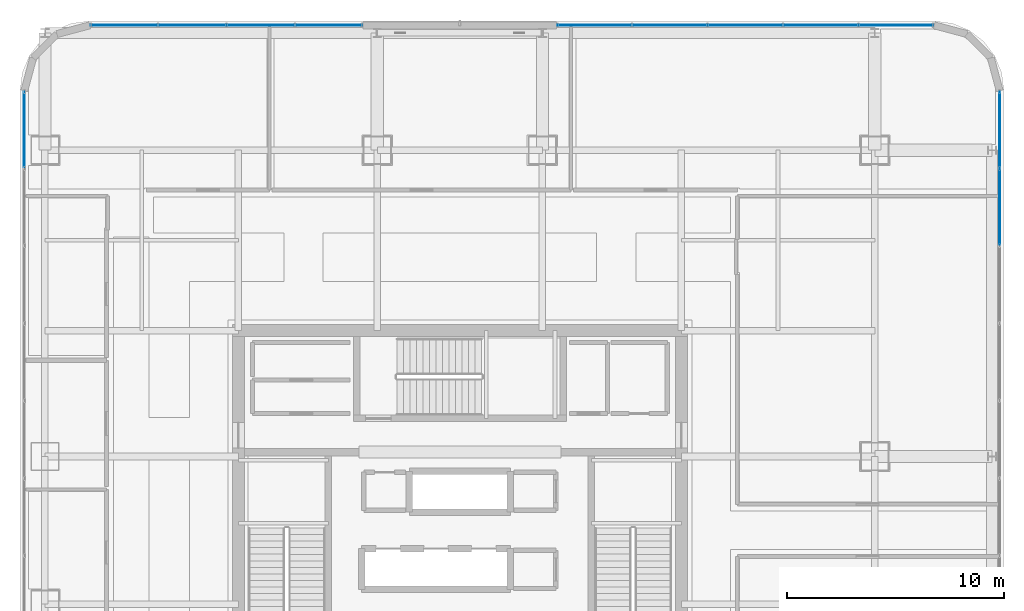
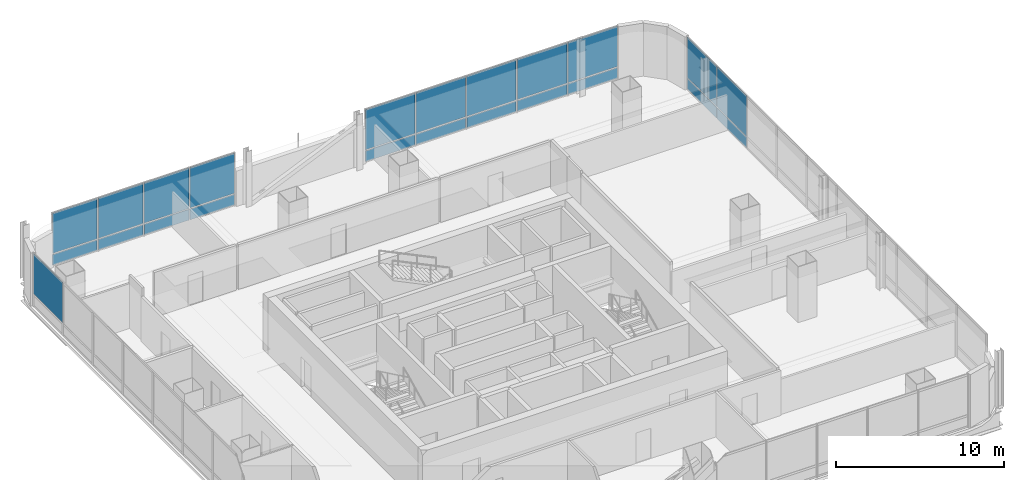
# One storey, part 30 of 44: 23 plates, 4 elements without a shape of their own.
"""IFC4 building model written with IfcOpenShell, lengths in metres."""

from ifc_helpers import new_model, si_unit, direction, frame, origin, origin_2d, place, context, subcontext, project, spatial, rectangle, extrude, material, layer, layer_set, type_object, element, aggregate, save


model = new_model("IFC4")

# Units and contexts
model_context = context("Model", 3, precision=1e-05, world=origin(), true_north=direction((0.0, 1.0)))
body_context = subcontext(model_context, "Body", "Model", "MODEL_VIEW")
ifc_project = project(units=[si_unit("LENGTHUNIT", "METRE"), si_unit("AREAUNIT", "SQUARE_METRE"), si_unit("VOLUMEUNIT", "CUBIC_METRE"), si_unit("PLANEANGLEUNIT", "RADIAN"), si_unit("MASSUNIT", "GRAM", prefix="KILO")], contexts=[model_context])

# Site, building, storey
site_placement = place(None, origin())
site = spatial("IfcSite", under=ifc_project, at=site_placement, CompositionType="ELEMENT")
building_placement = place(site_placement, origin())
building = spatial("IfcBuilding", under=site, at=building_placement, Name="Punatoya Terracotta Tower", CompositionType="ELEMENT")
storey_placement = place(building_placement, frame((0.0, 0.0, 267.60009765625)))
storey = spatial("IfcBuildingStorey", under=building, at=storey_placement, Name="L63", CompositionType="ELEMENT", Elevation=267.60009765625)

# Curtain wall, plates
ifc_material_1 = material(Name="Aluminium 6063-T6 + Double Low-E Glass", Category="aluminium")
curtain_wall_type = type_object("IfcCurtainWallType", Name="CW-M3", PredefinedType="NOTDEFINED", material=ifc_material_1)
curtain_wall_1_placement = place(storey_placement, origin())
curtain_wall_1 = element("IfcCurtainWall", 1, at=curtain_wall_1_placement, inside=storey, type_object=curtain_wall_type, Name="L63 Curtain Wall CW-L63-E05-1", PredefinedType="NOTDEFINED")
ifc_material_2 = material(Name="Double Low-E Acoustic Vision Glass", Category="glass")
ifc_layer_1 = layer(ifc_material_2, 0.031982421875)
ifc_layer_set_1 = layer_set([ifc_layer_1], Name="Double Low-E Acoustic Vision Glass")
plate_type_1 = type_object("IfcPlateType", Name="PLT-GLZ-32", PredefinedType="CURTAIN_PANEL", material=ifc_layer_set_1)
plate_1_placement = place(storey_placement, frame((24.85009765625, 14.8857421875, 0.889892578125), z_axis=(0.0, 0.0, 1.0), x_axis=(0.0, 1.0, 0.0)))
plate_1 = element("IfcPlate", 2, at=plate_1_placement, type_object=plate_type_1, Name="CW-L63-E05-1 Vision Glass Panel 9", PredefinedType="CURTAIN_PANEL", context=body_context, shape_type="SweptSolid", body=[
    extrude(rectangle(XDim=3.482421875, YDim=0.031982421875, at=origin_2d()), origin(), (0.0, 0.0, 1.0), 2.919921875),
])
plate_2_placement = place(storey_placement, frame((24.85009765625, 18.453125, 0.889892578125), z_axis=(0.0, 0.0, 1.0), x_axis=(0.0, 1.0, 0.0)))
plate_2 = element("IfcPlate", 3, at=plate_2_placement, type_object=plate_type_1, Name="CW-L63-E05-1 Vision Glass Panel 10", PredefinedType="CURTAIN_PANEL", context=body_context, shape_type="SweptSolid", body=[
    extrude(rectangle(XDim=3.482421875, YDim=0.031982421875, at=origin_2d()), origin(), (0.0, 0.0, 1.0), 2.919921875),
])

curtain_wall_2_placement = place(storey_placement, origin())
curtain_wall_2 = element("IfcCurtainWall", 4, at=curtain_wall_2_placement, inside=storey, type_object=curtain_wall_type, Name="L63 Curtain Wall CW-L63-N09-1", PredefinedType="NOTDEFINED")
plate_3_placement = place(storey_placement, frame((20.09814453125, 23.25, 0.889892578125), z_axis=(0.0, 0.0, 1.0), x_axis=(-1.0, 0.0, 0.0)))
plate_3 = element("IfcPlate", 5, at=plate_3_placement, type_object=plate_type_1, Name="CW-L63-N09-1 Vision Glass Panel 1", PredefinedType="CURTAIN_PANEL", context=body_context, shape_type="SweptSolid", body=[
    extrude(rectangle(XDim=3.392333984375, YDim=0.031982421875, at=origin_2d()), origin(), (0.0, 0.0, 1.0), 2.919921875),
])
plate_4_placement = place(storey_placement, frame((16.620849609375, 23.25, 0.889892578125), z_axis=(0.0, 0.0, 1.0), x_axis=(-1.0, 0.0, 0.0)))
plate_4 = element("IfcPlate", 6, at=plate_4_placement, type_object=plate_type_1, Name="CW-L63-N09-1 Vision Glass Panel 2", PredefinedType="CURTAIN_PANEL", context=body_context, shape_type="SweptSolid", body=[
    extrude(rectangle(XDim=3.392333984375, YDim=0.031982421875, at=origin_2d()), origin(), (0.0, 0.0, 1.0), 2.919921875),
])
plate_5_placement = place(storey_placement, frame((13.143310546875, 23.25, 0.889892578125), z_axis=(0.0, 0.0, 1.0), x_axis=(-1.0, 0.0, 0.0)))
plate_5 = element("IfcPlate", 7, at=plate_5_placement, type_object=plate_type_1, Name="CW-L63-N09-1 Vision Glass Panel 3", PredefinedType="CURTAIN_PANEL", context=body_context, shape_type="SweptSolid", body=[
    extrude(rectangle(XDim=3.392333984375, YDim=0.031982421875, at=origin_2d()), origin(), (0.0, 0.0, 1.0), 2.919921875),
])
plate_6_placement = place(storey_placement, frame((9.666015625, 23.25, 0.889892578125), z_axis=(0.0, 0.0, 1.0), x_axis=(-1.0, 0.0, 0.0)))
plate_6 = element("IfcPlate", 8, at=plate_6_placement, type_object=plate_type_1, Name="CW-L63-N09-1 Vision Glass Panel 4", PredefinedType="CURTAIN_PANEL", context=body_context, shape_type="SweptSolid", body=[
    extrude(rectangle(XDim=3.392333984375, YDim=0.031982421875, at=origin_2d()), origin(), (0.0, 0.0, 1.0), 2.919921875),
])
plate_7_placement = place(storey_placement, frame((6.188720703125, 23.25, 0.889892578125), z_axis=(0.0, 0.0, 1.0), x_axis=(-1.0, 0.0, 0.0)))
plate_7 = element("IfcPlate", 9, at=plate_7_placement, type_object=plate_type_1, Name="CW-L63-N09-1 Vision Glass Panel 5", PredefinedType="CURTAIN_PANEL", context=body_context, shape_type="SweptSolid", body=[
    extrude(rectangle(XDim=3.392333984375, YDim=0.031982421875, at=origin_2d()), origin(), (0.0, 0.0, 1.0), 2.919921875),
])

curtain_wall_3_placement = place(storey_placement, origin())
curtain_wall_3 = element("IfcCurtainWall", 10, at=curtain_wall_3_placement, inside=storey, type_object=curtain_wall_type, Name="L63 Curtain Wall CW-L63-N09-2", PredefinedType="NOTDEFINED")
plate_8_placement = place(storey_placement, frame((-6.0234375, 23.25, 0.889892578125), z_axis=(0.0, 0.0, 1.0), x_axis=(-1.0, 0.0, 0.0)))
plate_8 = element("IfcPlate", 11, at=plate_8_placement, type_object=plate_type_1, Name="CW-L63-N09-2 Vision Glass Panel 1", PredefinedType="CURTAIN_PANEL", context=body_context, shape_type="SweptSolid", body=[
    extrude(rectangle(XDim=3.061767578125, YDim=0.031982421875, at=origin_2d()), origin(), (0.0, 0.0, 1.0), 2.919921875),
])
plate_9_placement = place(storey_placement, frame((-9.170166015625, 23.25, 0.889892578125), z_axis=(0.0, 0.0, 1.0), x_axis=(-1.0, 0.0, 0.0)))
plate_9 = element("IfcPlate", 12, at=plate_9_placement, type_object=plate_type_1, Name="CW-L63-N09-2 Vision Glass Panel 2", PredefinedType="CURTAIN_PANEL", context=body_context, shape_type="SweptSolid", body=[
    extrude(rectangle(XDim=3.061767578125, YDim=0.031982421875, at=origin_2d()), origin(), (0.0, 0.0, 1.0), 2.919921875),
])
plate_10_placement = place(storey_placement, frame((-12.31689453125, 23.25, 0.889892578125), z_axis=(0.0, 0.0, 1.0), x_axis=(-1.0, 0.0, 0.0)))
plate_10 = element("IfcPlate", 13, at=plate_10_placement, type_object=plate_type_1, Name="CW-L63-N09-2 Vision Glass Panel 3", PredefinedType="CURTAIN_PANEL", context=body_context, shape_type="SweptSolid", body=[
    extrude(rectangle(XDim=3.061767578125, YDim=0.031982421875, at=origin_2d()), origin(), (0.0, 0.0, 1.0), 2.919921875),
])
plate_11_placement = place(storey_placement, frame((-15.46337890625, 23.25, 0.889892578125), z_axis=(0.0, 0.0, 1.0), x_axis=(-1.0, 0.0, 0.0)))
plate_11 = element("IfcPlate", 14, at=plate_11_placement, type_object=plate_type_1, Name="CW-L63-N09-2 Vision Glass Panel 4", PredefinedType="CURTAIN_PANEL", context=body_context, shape_type="SweptSolid", body=[
    extrude(rectangle(XDim=3.061767578125, YDim=0.031982421875, at=origin_2d()), origin(), (0.0, 0.0, 1.0), 2.919921875),
])

# Curtain wall, plate
curtain_wall_4_placement = place(storey_placement, origin())
curtain_wall_4 = element("IfcCurtainWall", 15, at=curtain_wall_4_placement, inside=storey, type_object=curtain_wall_type, Name="L63 Curtain Wall CW-L63-W13-1", PredefinedType="NOTDEFINED")
plate_12_placement = place(storey_placement, frame((-20.050048828125, 18.453125, 0.889892578125), z_axis=(0.0, 0.0, 1.0), x_axis=(0.0, -1.0, 0.0)))
plate_12 = element("IfcPlate", 16, at=plate_12_placement, type_object=plate_type_1, Name="CW-L63-W13-1 Vision Glass Panel 1", PredefinedType="CURTAIN_PANEL", context=body_context, shape_type="SweptSolid", body=[
    extrude(rectangle(XDim=3.482421875, YDim=0.031982421875, at=origin_2d()), origin(), (0.0, 0.0, 1.0), 2.919921875),
])
aggregate(curtain_wall_4, [plate_12])

# Plate
ifc_material_3 = material(Name="Insulated Terracotta-Backed Spandrel Panel", Category="masonry")
ifc_layer_2 = layer(ifc_material_3, 0.044921875)
ifc_layer_set_2 = layer_set([ifc_layer_2], Name="Insulated Terracotta-Backed Spandrel Panel")
plate_type_2 = type_object("IfcPlateType", Name="PLT-SPN-45", PredefinedType="CURTAIN_PANEL", material=ifc_layer_set_2)
plate_13_placement = place(storey_placement, frame((24.85009765625, 14.8857421875, 0.0400390625), z_axis=(0.0, 0.0, 1.0), x_axis=(0.0, 1.0, 0.0)))
plate_13 = element("IfcPlate", 17, at=plate_13_placement, type_object=plate_type_2, Name="CW-L63-E05-1 Terracotta Spandrel Panel 9", PredefinedType="CURTAIN_PANEL", context=body_context, shape_type="SweptSolid", body=[
    extrude(rectangle(XDim=3.482421875, YDim=0.044921875, at=origin_2d()), origin(), (0.0, 0.0, 1.0), 0.77490234375),
])

plate_14_placement = place(storey_placement, frame((24.85009765625, 18.453125, 0.0400390625), z_axis=(0.0, 0.0, 1.0), x_axis=(0.0, 1.0, 0.0)))
plate_14 = element("IfcPlate", 18, at=plate_14_placement, type_object=plate_type_2, Name="CW-L63-E05-1 Terracotta Spandrel Panel 10", PredefinedType="CURTAIN_PANEL", context=body_context, shape_type="SweptSolid", body=[
    extrude(rectangle(XDim=3.482421875, YDim=0.044921875, at=origin_2d()), origin(), (0.0, 0.0, 1.0), 0.77490234375),
])

aggregate(curtain_wall_1, [plate_13, plate_1, plate_14, plate_2])

plate_15_placement = place(storey_placement, frame((20.09814453125, 23.25, 0.0400390625), z_axis=(0.0, 0.0, 1.0), x_axis=(-1.0, 0.0, 0.0)))
plate_15 = element("IfcPlate", 19, at=plate_15_placement, type_object=plate_type_2, Name="CW-L63-N09-1 Terracotta Spandrel Panel 1", PredefinedType="CURTAIN_PANEL", context=body_context, shape_type="SweptSolid", body=[
    extrude(rectangle(XDim=3.392333984375, YDim=0.044921875, at=origin_2d()), origin(), (0.0, 0.0, 1.0), 0.77490234375),
])

plate_16_placement = place(storey_placement, frame((16.620849609375, 23.25, 0.0400390625), z_axis=(0.0, 0.0, 1.0), x_axis=(-1.0, 0.0, 0.0)))
plate_16 = element("IfcPlate", 20, at=plate_16_placement, type_object=plate_type_2, Name="CW-L63-N09-1 Terracotta Spandrel Panel 2", PredefinedType="CURTAIN_PANEL", context=body_context, shape_type="SweptSolid", body=[
    extrude(rectangle(XDim=3.392333984375, YDim=0.044921875, at=origin_2d()), origin(), (0.0, 0.0, 1.0), 0.77490234375),
])

plate_17_placement = place(storey_placement, frame((13.143310546875, 23.25, 0.0400390625), z_axis=(0.0, 0.0, 1.0), x_axis=(-1.0, 0.0, 0.0)))
plate_17 = element("IfcPlate", 21, at=plate_17_placement, type_object=plate_type_2, Name="CW-L63-N09-1 Terracotta Spandrel Panel 3", PredefinedType="CURTAIN_PANEL", context=body_context, shape_type="SweptSolid", body=[
    extrude(rectangle(XDim=3.392333984375, YDim=0.044921875, at=origin_2d()), origin(), (0.0, 0.0, 1.0), 0.77490234375),
])

plate_18_placement = place(storey_placement, frame((9.666015625, 23.25, 0.0400390625), z_axis=(0.0, 0.0, 1.0), x_axis=(-1.0, 0.0, 0.0)))
plate_18 = element("IfcPlate", 22, at=plate_18_placement, type_object=plate_type_2, Name="CW-L63-N09-1 Terracotta Spandrel Panel 4", PredefinedType="CURTAIN_PANEL", context=body_context, shape_type="SweptSolid", body=[
    extrude(rectangle(XDim=3.392333984375, YDim=0.044921875, at=origin_2d()), origin(), (0.0, 0.0, 1.0), 0.77490234375),
])

plate_19_placement = place(storey_placement, frame((6.188720703125, 23.25, 0.0400390625), z_axis=(0.0, 0.0, 1.0), x_axis=(-1.0, 0.0, 0.0)))
plate_19 = element("IfcPlate", 23, at=plate_19_placement, type_object=plate_type_2, Name="CW-L63-N09-1 Terracotta Spandrel Panel 5", PredefinedType="CURTAIN_PANEL", context=body_context, shape_type="SweptSolid", body=[
    extrude(rectangle(XDim=3.392333984375, YDim=0.044921875, at=origin_2d()), origin(), (0.0, 0.0, 1.0), 0.77490234375),
])

aggregate(curtain_wall_2, [plate_15, plate_3, plate_16, plate_4, plate_17, plate_5, plate_18, plate_6, plate_19, plate_7])

plate_20_placement = place(storey_placement, frame((-6.0234375, 23.25, 0.0400390625), z_axis=(0.0, 0.0, 1.0), x_axis=(-1.0, 0.0, 0.0)))
plate_20 = element("IfcPlate", 24, at=plate_20_placement, type_object=plate_type_2, Name="CW-L63-N09-2 Terracotta Spandrel Panel 1", PredefinedType="CURTAIN_PANEL", context=body_context, shape_type="SweptSolid", body=[
    extrude(rectangle(XDim=3.061767578125, YDim=0.044921875, at=origin_2d()), origin(), (0.0, 0.0, 1.0), 0.77490234375),
])

plate_21_placement = place(storey_placement, frame((-9.170166015625, 23.25, 0.0400390625), z_axis=(0.0, 0.0, 1.0), x_axis=(-1.0, 0.0, 0.0)))
plate_21 = element("IfcPlate", 25, at=plate_21_placement, type_object=plate_type_2, Name="CW-L63-N09-2 Terracotta Spandrel Panel 2", PredefinedType="CURTAIN_PANEL", context=body_context, shape_type="SweptSolid", body=[
    extrude(rectangle(XDim=3.061767578125, YDim=0.044921875, at=origin_2d()), origin(), (0.0, 0.0, 1.0), 0.77490234375),
])

plate_22_placement = place(storey_placement, frame((-12.31689453125, 23.25, 0.0400390625), z_axis=(0.0, 0.0, 1.0), x_axis=(-1.0, 0.0, 0.0)))
plate_22 = element("IfcPlate", 26, at=plate_22_placement, type_object=plate_type_2, Name="CW-L63-N09-2 Terracotta Spandrel Panel 3", PredefinedType="CURTAIN_PANEL", context=body_context, shape_type="SweptSolid", body=[
    extrude(rectangle(XDim=3.061767578125, YDim=0.044921875, at=origin_2d()), origin(), (0.0, 0.0, 1.0), 0.77490234375),
])

plate_23_placement = place(storey_placement, frame((-15.46337890625, 23.25, 0.0400390625), z_axis=(0.0, 0.0, 1.0), x_axis=(-1.0, 0.0, 0.0)))
plate_23 = element("IfcPlate", 27, at=plate_23_placement, type_object=plate_type_2, Name="CW-L63-N09-2 Terracotta Spandrel Panel 4", PredefinedType="CURTAIN_PANEL", context=body_context, shape_type="SweptSolid", body=[
    extrude(rectangle(XDim=3.061767578125, YDim=0.044921875, at=origin_2d()), origin(), (0.0, 0.0, 1.0), 0.77490234375),
])

aggregate(curtain_wall_3, [plate_20, plate_8, plate_21, plate_9, plate_22, plate_10, plate_23, plate_11])

save(model, "model.ifc")
